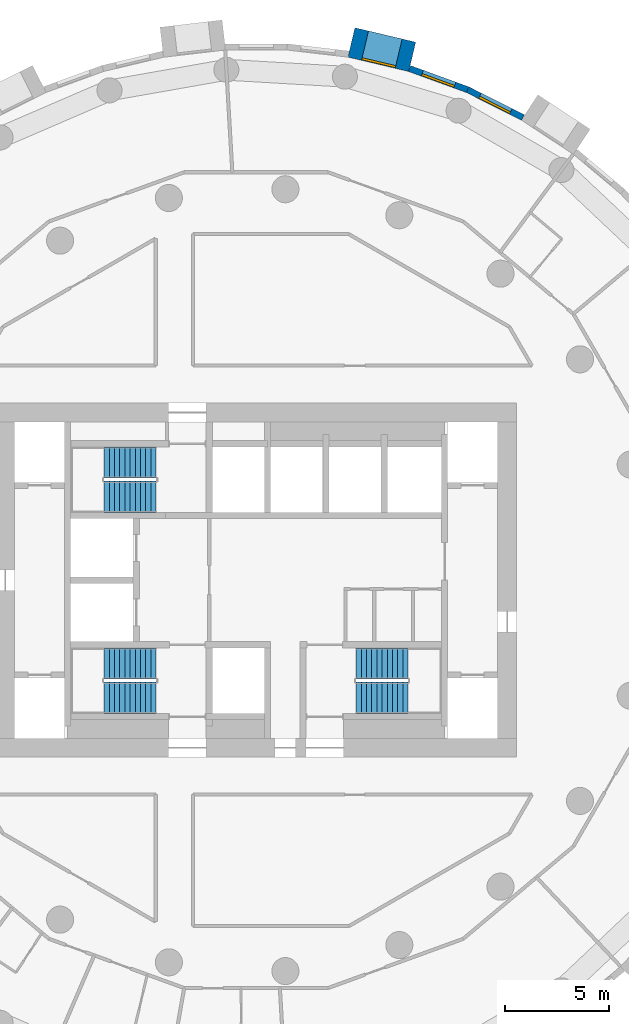
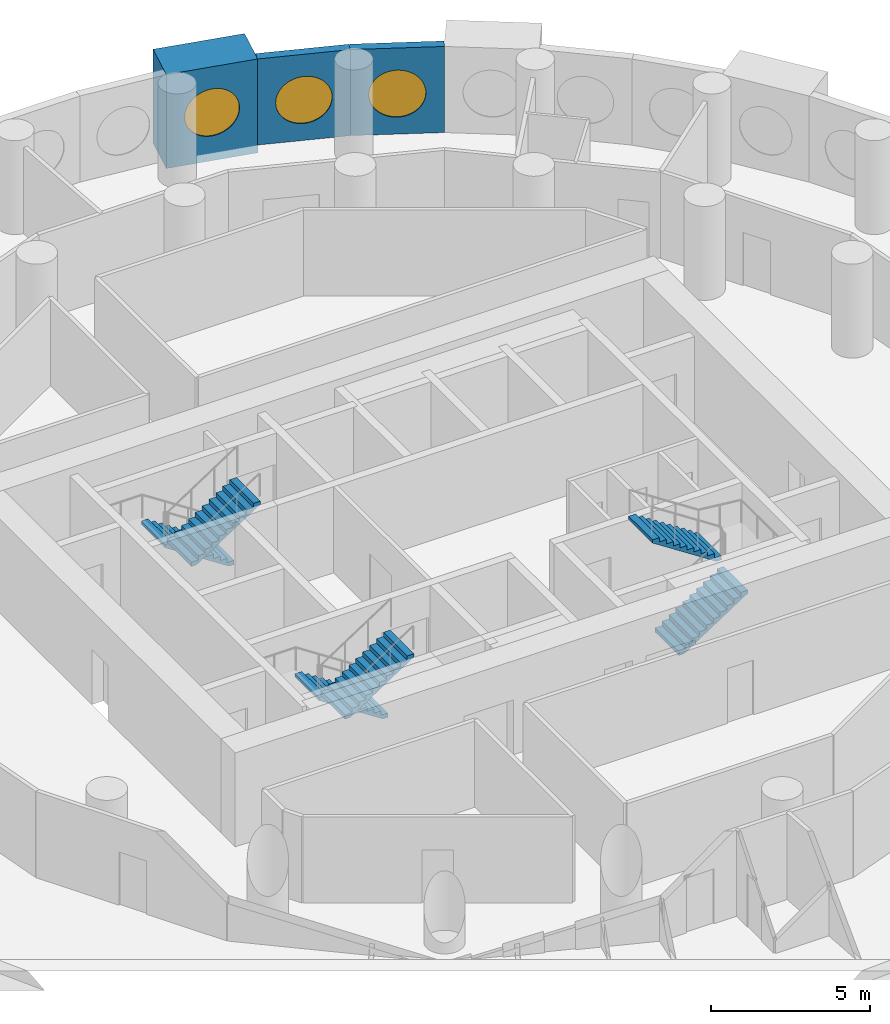
# One storey, part 8 of 9: 6 stair flights, 3 walls, 3 windows, 3 openings, 3 elements without a shape of their own.
"""IFC4 building model written with IfcOpenShell, lengths in metres."""

from ifc_helpers import new_model, si_unit, direction, frame, frame_2d, origin, origin_2d, place, context, subcontext, project, spatial, polyline, rectangle, circle, outline, extrude, material, layer, layer_set, type_object, element, fill, aggregate, save


model = new_model("IFC4")

# Units and contexts
model_context = context("Model", 3, precision=1e-05, world=origin(), true_north=direction((0.0, 1.0)))
body_context = subcontext(model_context, "Body", "Model", "MODEL_VIEW")
ifc_project = project(units=[si_unit("LENGTHUNIT", "METRE"), si_unit("AREAUNIT", "SQUARE_METRE"), si_unit("VOLUMEUNIT", "CUBIC_METRE"), si_unit("PLANEANGLEUNIT", "RADIAN"), si_unit("MASSUNIT", "GRAM", prefix="KILO")], contexts=[model_context])

# Site, building, storey
site_placement = place(None, origin())
site = spatial("IfcSite", under=ifc_project, at=site_placement, CompositionType="ELEMENT")
building_placement = place(site_placement, origin())
building = spatial("IfcBuilding", under=site, at=building_placement, Name="Tracery Tower", CompositionType="ELEMENT")
storey_placement = place(building_placement, frame((0.0, 0.0, 183.60009765625)))
storey = spatial("IfcBuildingStorey", under=building, at=storey_placement, Name="L47", CompositionType="ELEMENT", Elevation=183.60009765625)

# Wall, opening, window
ifc_material_1 = material(Name="Precast concrete C50/60", Category="concrete")
ifc_layer_1 = layer(ifc_material_1, 1.449951171875)
ifc_layer_set_1 = layer_set([ifc_layer_1], Name="Deep-set bay unit 3000 x 3600, slab edge 300")
wall_type_1 = type_object("IfcWallType", Name="Deep-set bay unit 3000 x 3600, slab edge 300", PredefinedType="ELEMENTEDWALL", material=ifc_layer_set_1)
wall_1_placement = place(storey_placement, frame((7.496826171875, 25.12744140625, -0.300048828125), z_axis=(0.0, 0.0, 1.0), x_axis=(-0.973042333261, 0.23062657627, 0.0)))
wall_1 = element("IfcWall", 1, at=wall_1_placement, inside=storey, type_object=wall_type_1, Name="Deep-set bay unit 12 at L47", PredefinedType="ELEMENTEDWALL", context=body_context, shape_type="SweptSolid", body=[
    extrude(rectangle(XDim=3.0, YDim=1.449951171875, at=frame_2d((1.5, 0.0))), origin(), (0.0, 0.0, 1.0), 3.599853515625),
])
opening_1_placement = place(wall_1_placement, frame((1.5, 0.0, 1.85009765625)))
opening_1 = element("IfcOpeningElement", 2, at=opening_1_placement, cuts=wall_1, Name="Opening WN1", PredefinedType="OPENING", context=body_context, shape_type="SweptSolid", body=[
    extrude(circle(Radius=0.9000244140625, at=origin_2d()), frame((0.0, 0.73486328125, 0.0), z_axis=(0.0, -1.0, 0.0), x_axis=(1.0, 0.0, 0.0)), (0.0, 0.0, 1.0), 1.469970703125),
])
ifc_material_2 = material(Name="Aluminium frame with tinted double glazing", Category="aluminium")
window_type = type_object("IfcWindowType", Name="Round window 1800", PartitioningType="SINGLE_PANEL", PredefinedType="WINDOW", material=ifc_material_2)
window_1_placement = place(opening_1_placement, origin())
window_1 = element("IfcWindow", 3, at=window_1_placement, inside=storey, type_object=window_type, Name="Round window 12 at L47", OverallHeight=1.800048828125, OverallWidth=1.800048828125, PartitioningType="SINGLE_PANEL", PredefinedType="WINDOW", context=body_context, shape_type="SweptSolid", body=[
    extrude(circle(Radius=0.9000244140625, at=origin_2d()), frame((0.0, 0.69482421875, 0.0), z_axis=(0.0, -1.0, 0.0), x_axis=(1.0, 0.0, 0.0)), (0.0, 0.0, 1.0), 0.10009765625),
])
fill(opening_1, window_1)

ifc_material_3 = material(Name="Precast concrete C50/60", Category="concrete")
ifc_layer_2 = layer(ifc_material_3, 0.300048828125)
ifc_layer_set_2 = layer_set([ifc_layer_2], Name="Facade panel 3000 x 3300")
wall_type_2 = type_object("IfcWallType", Name="Facade panel 3000 x 3300", PredefinedType="SOLIDWALL", material=ifc_layer_set_2)
wall_2_placement = place(storey_placement, frame((12.815185546875, 22.215576171875, 0.0), z_axis=(0.0, 0.0, 1.0), x_axis=(-0.893637442555, 0.448789618045, 0.0)))
wall_2 = element("IfcWall", 4, at=wall_2_placement, inside=storey, type_object=wall_type_2, Name="Facade panel 10 at L47", PredefinedType="SOLIDWALL", context=body_context, shape_type="SweptSolid", body=[
    extrude(rectangle(XDim=2.972900390625, YDim=0.300048828125, at=frame_2d((1.486328125, 0.0))), origin(), (0.0, 0.0, 1.0), 3.2998046875),
])
opening_2_placement = place(wall_2_placement, frame((1.486328125, 0.0, 1.5498046875)))
opening_2 = element("IfcOpeningElement", 5, at=opening_2_placement, cuts=wall_2, Name="Opening WN1", PredefinedType="OPENING", context=body_context, shape_type="SweptSolid", body=[
    extrude(circle(Radius=0.9000244140625, at=origin_2d()), frame((0.0, 0.159912109375, 0.0), z_axis=(0.0, -1.0, 0.0), x_axis=(1.0, 0.0, 0.0)), (0.0, 0.0, 1.0), 0.320068359375),
])
window_2_placement = place(opening_2_placement, origin())
window_2 = element("IfcWindow", 6, at=window_2_placement, inside=storey, type_object=window_type, Name="Round window 10 at L47", OverallHeight=1.800048828125, OverallWidth=1.800048828125, PartitioningType="SINGLE_PANEL", PredefinedType="WINDOW", context=body_context, shape_type="SweptSolid", body=[
    extrude(circle(Radius=0.9000244140625, at=origin_2d()), frame((0.0, 0.1201171875, 0.0), z_axis=(0.0, -1.0, 0.0), x_axis=(1.0, 0.0, 0.0)), (0.0, 0.0, 1.0), 0.10009765625),
])
fill(opening_2, window_2)

wall_3_placement = place(storey_placement, frame((10.158447265625, 23.5498046875, 0.0), z_axis=(0.0, 0.0, 1.0), x_axis=(-0.939690282133, 0.342026568652, 0.0)))
wall_3 = element("IfcWall", 7, at=wall_3_placement, inside=storey, type_object=wall_type_2, Name="Facade panel 11 at L47", PredefinedType="SOLIDWALL", context=body_context, shape_type="SweptSolid", body=[
    extrude(rectangle(XDim=2.972900390625, YDim=0.300048828125, at=frame_2d((1.486328125, 0.0))), origin(), (0.0, 0.0, 1.0), 3.2998046875),
])
opening_3_placement = place(wall_3_placement, frame((1.486328125, 0.0, 1.5498046875)))
opening_3 = element("IfcOpeningElement", 8, at=opening_3_placement, cuts=wall_3, Name="Opening WN1", PredefinedType="OPENING", context=body_context, shape_type="SweptSolid", body=[
    extrude(circle(Radius=0.9000244140625, at=origin_2d()), frame((0.0, 0.159912109375, 0.0), z_axis=(0.0, -1.0, 0.0), x_axis=(1.0, 0.0, 0.0)), (0.0, 0.0, 1.0), 0.320068359375),
])
window_3_placement = place(opening_3_placement, origin())
window_3 = element("IfcWindow", 9, at=window_3_placement, inside=storey, type_object=window_type, Name="Round window 11 at L47", OverallHeight=1.800048828125, OverallWidth=1.800048828125, PartitioningType="SINGLE_PANEL", PredefinedType="WINDOW", context=body_context, shape_type="SweptSolid", body=[
    extrude(circle(Radius=0.9000244140625, at=origin_2d()), frame((0.0, 0.1201171875, 0.0), z_axis=(0.0, -1.0, 0.0), x_axis=(1.0, 0.0, 0.0)), (0.0, 0.0, 1.0), 0.10009765625),
])
fill(opening_3, window_3)

# Stair, stair flights
ifc_material_4 = material(Name="Concrete C32/40", Category="concrete")
stair_type = type_object("IfcStairType", Name="Core stair 22 risers", PredefinedType="HALF_TURN_STAIR", material=ifc_material_4)
stair_1_placement = place(storey_placement, origin())
stair_1 = element("IfcStair", 10, at=stair_1_placement, inside=storey, type_object=stair_type, Name="L47 stair ST1", PredefinedType="HALF_TURN_STAIR")
ifc_material_5 = material(Name="Concrete C32/40", Category="concrete")
stair_flight_type = type_object("IfcStairFlightType", Name="Core stair flight 11 risers", PredefinedType="STRAIGHT", material=ifc_material_5)
stair_flight_1_placement = place(storey_placement, frame((-4.800048828125, -4.0, 0.0), z_axis=(0.0, 0.0, 1.0), x_axis=(-1.0, 0.0, 0.0)))
stair_flight_1 = element("IfcStairFlight", 11, at=stair_flight_1_placement, type_object=stair_flight_type, Name="ST1 flight 1", NumberOfRisers=11, NumberOfTreads=10, PredefinedType="STRAIGHT", RiserHeight=0.163636364, TreadLength=0.25, context=body_context, shape_type="SweptSolid", body=[
    extrude(outline(polyline([(0.0, 0.0), (0.0, 0.002685546875), (0.0, 0.00537109375), (0.0, 0.008056640625), (0.0, 0.0107421875), (0.0, 0.013427734375), (0.0, 0.01611328125), (0.0, 0.018798828125), (0.0, 0.021484375), (0.0, 0.024169921875), (0.0, 0.02685546875), (0.0, 0.029541015625), (0.0, 0.0322265625), (0.0, 0.034912109375), (0.0, 0.03759765625), (0.0, 0.040283203125), (0.0, 0.04296875), (0.0, 0.045654296875), (0.0, 0.04833984375), (0.0, 0.051025390625), (0.0, 0.0537109375), (0.0, 0.056396484375), (0.0, 0.05908203125), (0.0, 0.061767578125), (0.0, 0.064453125), (0.0, 0.067138671875), (0.0, 0.06982421875), (0.0, 0.072509765625), (0.0, 0.0751953125), (0.0, 0.077880859375), (0.0, 0.08056640625), (0.0, 0.083251953125), (0.0, 0.0859375), (0.0, 0.088623046875), (0.0, 0.09130859375), (0.0, 0.093994140625), (0.0, 0.0966796875), (0.0, 0.099365234375), (0.0, 0.10205078125), (0.0, 0.104736328125), (0.0, 0.107421875), (0.0, 0.10986328125), (0.0, 0.112548828125), (0.0, 0.115234375), (0.0, 0.117919921875), (0.0, 0.12060546875), (0.0, 0.123291015625), (0.0, 0.1259765625), (0.0, 0.128662109375), (0.0, 0.13134765625), (0.0, 0.134033203125), (0.0, 0.13671875), (0.0, 0.139404296875), (0.0, 0.14208984375), (0.0, 0.144775390625), (0.0, 0.1474609375), (0.0, 0.150146484375), (0.0, 0.15283203125), (0.0, 0.155517578125), (0.0, 0.158203125), (0.0, 0.160888671875), (0.0, 0.16357421875), (0.25, 0.16357421875), (0.25, 0.327392578125), (0.5, 0.327392578125), (0.5, 0.490966796875), (0.75, 0.490966796875), (0.75, 0.654541015625), (1.0, 0.654541015625), (1.0, 0.818115234375), (1.25, 0.818115234375), (1.25, 0.98193359375), (1.5, 0.98193359375), (1.5, 1.1455078125), (1.75, 1.1455078125), (1.75, 1.30908203125), (2.0, 1.30908203125), (2.0, 1.47265625), (2.25, 1.47265625), (2.25, 1.636474609375), (2.5, 1.636474609375), (2.5, 1.634521484375), (2.5, 1.63232421875), (2.5, 1.63037109375), (2.5, 1.62841796875), (2.5, 1.62646484375), (2.5, 1.62451171875), (2.5, 1.62255859375), (2.5, 1.62060546875), (2.5, 1.61865234375), (2.5, 1.61669921875), (2.5, 1.61474609375), (2.5, 1.61279296875), (2.5, 1.61083984375), (2.5, 1.60888671875), (2.5, 1.60693359375), (2.5, 1.60498046875), (2.5, 1.60302734375), (2.5, 1.60107421875), (2.5, 1.59912109375), (2.5, 1.59716796875), (2.5, 1.59521484375), (2.5, 1.59326171875), (2.5, 1.59130859375), (2.5, 1.58935546875), (2.5, 1.58740234375), (2.5, 1.58544921875), (2.5, 1.58349609375), (2.5, 1.58154296875), (2.5, 1.57958984375), (2.5, 1.57763671875), (2.5, 1.57568359375), (2.5, 1.573486328125), (2.5, 1.571533203125), (2.5, 1.569580078125), (2.5, 1.567626953125), (2.5, 1.565673828125), (2.5, 1.563720703125), (2.5, 1.561767578125), (2.5, 1.559814453125), (2.5, 1.557861328125), (2.5, 1.555908203125), (2.5, 1.553955078125), (2.5, 1.552001953125), (2.5, 1.550048828125), (2.5, 1.548095703125), (2.5, 1.546142578125), (2.5, 1.544189453125), (2.5, 1.542236328125), (2.5, 1.540283203125), (2.5, 1.538330078125), (2.5, 1.536376953125), (2.5, 1.534423828125), (2.5, 1.532470703125), (2.5, 1.530517578125), (2.5, 1.528564453125), (2.5, 1.526611328125), (2.5, 1.524658203125), (2.5, 1.522705078125), (2.5, 1.520751953125), (2.5, 1.518798828125), (2.5, 1.516845703125), (0.182861328125, 0.0), (0.0, 0.0)])), frame((0.0, 0.75, 0.0), z_axis=(0.0, -1.0, 0.0), x_axis=(1.0, 0.0, 0.0)), (0.0, 0.0, 1.0), 1.5),
])
stair_flight_2_placement = place(storey_placement, frame((-7.300048828125, -5.64990234375, 1.7998046875), z_axis=(0.0, 0.0, 1.0), x_axis=(1.0, 0.0, 0.0)))
stair_flight_2 = element("IfcStairFlight", 12, at=stair_flight_2_placement, type_object=stair_flight_type, Name="ST1 flight 2", NumberOfRisers=11, NumberOfTreads=10, PredefinedType="STRAIGHT", RiserHeight=0.163636364, TreadLength=0.25, context=body_context, shape_type="SweptSolid", body=[
    extrude(outline(polyline([(0.0, 0.0), (0.0, 0.002685546875), (0.0, 0.00537109375), (0.0, 0.008056640625), (0.0, 0.0107421875), (0.0, 0.013427734375), (0.0, 0.01611328125), (0.0, 0.018798828125), (0.0, 0.021484375), (0.0, 0.024169921875), (0.0, 0.02685546875), (0.0, 0.029541015625), (0.0, 0.0322265625), (0.0, 0.034912109375), (0.0, 0.03759765625), (0.0, 0.040283203125), (0.0, 0.04296875), (0.0, 0.045654296875), (0.0, 0.04833984375), (0.0, 0.051025390625), (0.0, 0.0537109375), (0.0, 0.056396484375), (0.0, 0.05908203125), (0.0, 0.061767578125), (0.0, 0.064453125), (0.0, 0.067138671875), (0.0, 0.06982421875), (0.0, 0.072509765625), (0.0, 0.0751953125), (0.0, 0.077880859375), (0.0, 0.08056640625), (0.0, 0.083251953125), (0.0, 0.0859375), (0.0, 0.088623046875), (0.0, 0.09130859375), (0.0, 0.093994140625), (0.0, 0.0966796875), (0.0, 0.099365234375), (0.0, 0.10205078125), (0.0, 0.104736328125), (0.0, 0.107421875), (0.0, 0.10986328125), (0.0, 0.112548828125), (0.0, 0.115234375), (0.0, 0.117919921875), (0.0, 0.12060546875), (0.0, 0.123291015625), (0.0, 0.1259765625), (0.0, 0.128662109375), (0.0, 0.13134765625), (0.0, 0.134033203125), (0.0, 0.13671875), (0.0, 0.139404296875), (0.0, 0.14208984375), (0.0, 0.144775390625), (0.0, 0.1474609375), (0.0, 0.150146484375), (0.0, 0.15283203125), (0.0, 0.155517578125), (0.0, 0.158203125), (0.0, 0.160888671875), (0.0, 0.16357421875), (0.25, 0.16357421875), (0.25, 0.327392578125), (0.5, 0.327392578125), (0.5, 0.490966796875), (0.75, 0.490966796875), (0.75, 0.654541015625), (1.0, 0.654541015625), (1.0, 0.818115234375), (1.25, 0.818115234375), (1.25, 0.98193359375), (1.5, 0.98193359375), (1.5, 1.1455078125), (1.75, 1.1455078125), (1.75, 1.30908203125), (2.0, 1.30908203125), (2.0, 1.47265625), (2.25, 1.47265625), (2.25, 1.636474609375), (2.5, 1.636474609375), (2.5, 1.634521484375), (2.5, 1.63232421875), (2.5, 1.63037109375), (2.5, 1.62841796875), (2.5, 1.62646484375), (2.5, 1.62451171875), (2.5, 1.62255859375), (2.5, 1.62060546875), (2.5, 1.61865234375), (2.5, 1.61669921875), (2.5, 1.61474609375), (2.5, 1.61279296875), (2.5, 1.61083984375), (2.5, 1.60888671875), (2.5, 1.60693359375), (2.5, 1.60498046875), (2.5, 1.60302734375), (2.5, 1.60107421875), (2.5, 1.59912109375), (2.5, 1.59716796875), (2.5, 1.59521484375), (2.5, 1.59326171875), (2.5, 1.59130859375), (2.5, 1.58935546875), (2.5, 1.58740234375), (2.5, 1.58544921875), (2.5, 1.58349609375), (2.5, 1.58154296875), (2.5, 1.57958984375), (2.5, 1.57763671875), (2.5, 1.57568359375), (2.5, 1.573486328125), (2.5, 1.571533203125), (2.5, 1.569580078125), (2.5, 1.567626953125), (2.5, 1.565673828125), (2.5, 1.563720703125), (2.5, 1.561767578125), (2.5, 1.559814453125), (2.5, 1.557861328125), (2.5, 1.555908203125), (2.5, 1.553955078125), (2.5, 1.552001953125), (2.5, 1.550048828125), (2.5, 1.548095703125), (2.5, 1.546142578125), (2.5, 1.544189453125), (2.5, 1.542236328125), (2.5, 1.540283203125), (2.5, 1.538330078125), (2.5, 1.536376953125), (2.5, 1.534423828125), (2.5, 1.532470703125), (2.5, 1.530517578125), (2.5, 1.528564453125), (2.5, 1.526611328125), (2.5, 1.524658203125), (2.5, 1.522705078125), (2.5, 1.520751953125), (2.5, 1.518798828125), (2.5, 1.516845703125), (0.182861328125, 0.0), (0.0, 0.0)])), frame((0.0, 0.75, 0.0), z_axis=(0.0, -1.0, 0.0), x_axis=(1.0, 0.0, 0.0)), (0.0, 0.0, 1.0), 1.5),
])
aggregate(stair_1, [stair_flight_1, stair_flight_2])

stair_2_placement = place(storey_placement, origin())
stair_2 = element("IfcStair", 13, at=stair_2_placement, inside=storey, type_object=stair_type, Name="L47 stair ST3", PredefinedType="HALF_TURN_STAIR")
stair_flight_3_placement = place(storey_placement, frame((-4.800048828125, 5.64990234375, 0.0), z_axis=(0.0, 0.0, 1.0), x_axis=(-1.0, 0.0, 0.0)))
stair_flight_3 = element("IfcStairFlight", 14, at=stair_flight_3_placement, type_object=stair_flight_type, Name="ST3 flight 1", NumberOfRisers=11, NumberOfTreads=10, PredefinedType="STRAIGHT", RiserHeight=0.163636364, TreadLength=0.25, context=body_context, shape_type="SweptSolid", body=[
    extrude(outline(polyline([(0.0, 0.0), (0.0, 0.002685546875), (0.0, 0.00537109375), (0.0, 0.008056640625), (0.0, 0.0107421875), (0.0, 0.013427734375), (0.0, 0.01611328125), (0.0, 0.018798828125), (0.0, 0.021484375), (0.0, 0.024169921875), (0.0, 0.02685546875), (0.0, 0.029541015625), (0.0, 0.0322265625), (0.0, 0.034912109375), (0.0, 0.03759765625), (0.0, 0.040283203125), (0.0, 0.04296875), (0.0, 0.045654296875), (0.0, 0.04833984375), (0.0, 0.051025390625), (0.0, 0.0537109375), (0.0, 0.056396484375), (0.0, 0.05908203125), (0.0, 0.061767578125), (0.0, 0.064453125), (0.0, 0.067138671875), (0.0, 0.06982421875), (0.0, 0.072509765625), (0.0, 0.0751953125), (0.0, 0.077880859375), (0.0, 0.08056640625), (0.0, 0.083251953125), (0.0, 0.0859375), (0.0, 0.088623046875), (0.0, 0.09130859375), (0.0, 0.093994140625), (0.0, 0.0966796875), (0.0, 0.099365234375), (0.0, 0.10205078125), (0.0, 0.104736328125), (0.0, 0.107421875), (0.0, 0.10986328125), (0.0, 0.112548828125), (0.0, 0.115234375), (0.0, 0.117919921875), (0.0, 0.12060546875), (0.0, 0.123291015625), (0.0, 0.1259765625), (0.0, 0.128662109375), (0.0, 0.13134765625), (0.0, 0.134033203125), (0.0, 0.13671875), (0.0, 0.139404296875), (0.0, 0.14208984375), (0.0, 0.144775390625), (0.0, 0.1474609375), (0.0, 0.150146484375), (0.0, 0.15283203125), (0.0, 0.155517578125), (0.0, 0.158203125), (0.0, 0.160888671875), (0.0, 0.16357421875), (0.25, 0.16357421875), (0.25, 0.327392578125), (0.5, 0.327392578125), (0.5, 0.490966796875), (0.75, 0.490966796875), (0.75, 0.654541015625), (1.0, 0.654541015625), (1.0, 0.818115234375), (1.25, 0.818115234375), (1.25, 0.98193359375), (1.5, 0.98193359375), (1.5, 1.1455078125), (1.75, 1.1455078125), (1.75, 1.30908203125), (2.0, 1.30908203125), (2.0, 1.47265625), (2.25, 1.47265625), (2.25, 1.636474609375), (2.5, 1.636474609375), (2.5, 1.634521484375), (2.5, 1.63232421875), (2.5, 1.63037109375), (2.5, 1.62841796875), (2.5, 1.62646484375), (2.5, 1.62451171875), (2.5, 1.62255859375), (2.5, 1.62060546875), (2.5, 1.61865234375), (2.5, 1.61669921875), (2.5, 1.61474609375), (2.5, 1.61279296875), (2.5, 1.61083984375), (2.5, 1.60888671875), (2.5, 1.60693359375), (2.5, 1.60498046875), (2.5, 1.60302734375), (2.5, 1.60107421875), (2.5, 1.59912109375), (2.5, 1.59716796875), (2.5, 1.59521484375), (2.5, 1.59326171875), (2.5, 1.59130859375), (2.5, 1.58935546875), (2.5, 1.58740234375), (2.5, 1.58544921875), (2.5, 1.58349609375), (2.5, 1.58154296875), (2.5, 1.57958984375), (2.5, 1.57763671875), (2.5, 1.57568359375), (2.5, 1.573486328125), (2.5, 1.571533203125), (2.5, 1.569580078125), (2.5, 1.567626953125), (2.5, 1.565673828125), (2.5, 1.563720703125), (2.5, 1.561767578125), (2.5, 1.559814453125), (2.5, 1.557861328125), (2.5, 1.555908203125), (2.5, 1.553955078125), (2.5, 1.552001953125), (2.5, 1.550048828125), (2.5, 1.548095703125), (2.5, 1.546142578125), (2.5, 1.544189453125), (2.5, 1.542236328125), (2.5, 1.540283203125), (2.5, 1.538330078125), (2.5, 1.536376953125), (2.5, 1.534423828125), (2.5, 1.532470703125), (2.5, 1.530517578125), (2.5, 1.528564453125), (2.5, 1.526611328125), (2.5, 1.524658203125), (2.5, 1.522705078125), (2.5, 1.520751953125), (2.5, 1.518798828125), (2.5, 1.516845703125), (0.182861328125, 0.0), (0.0, 0.0)])), frame((0.0, 0.75, 0.0), z_axis=(0.0, -1.0, 0.0), x_axis=(1.0, 0.0, 0.0)), (0.0, 0.0, 1.0), 1.5),
])
stair_flight_4_placement = place(storey_placement, frame((-7.300048828125, 4.0, 1.7998046875), z_axis=(0.0, 0.0, 1.0), x_axis=(1.0, 0.0, 0.0)))
stair_flight_4 = element("IfcStairFlight", 15, at=stair_flight_4_placement, type_object=stair_flight_type, Name="ST3 flight 2", NumberOfRisers=11, NumberOfTreads=10, PredefinedType="STRAIGHT", RiserHeight=0.163636364, TreadLength=0.25, context=body_context, shape_type="SweptSolid", body=[
    extrude(outline(polyline([(0.0, 0.0), (0.0, 0.002685546875), (0.0, 0.00537109375), (0.0, 0.008056640625), (0.0, 0.0107421875), (0.0, 0.013427734375), (0.0, 0.01611328125), (0.0, 0.018798828125), (0.0, 0.021484375), (0.0, 0.024169921875), (0.0, 0.02685546875), (0.0, 0.029541015625), (0.0, 0.0322265625), (0.0, 0.034912109375), (0.0, 0.03759765625), (0.0, 0.040283203125), (0.0, 0.04296875), (0.0, 0.045654296875), (0.0, 0.04833984375), (0.0, 0.051025390625), (0.0, 0.0537109375), (0.0, 0.056396484375), (0.0, 0.05908203125), (0.0, 0.061767578125), (0.0, 0.064453125), (0.0, 0.067138671875), (0.0, 0.06982421875), (0.0, 0.072509765625), (0.0, 0.0751953125), (0.0, 0.077880859375), (0.0, 0.08056640625), (0.0, 0.083251953125), (0.0, 0.0859375), (0.0, 0.088623046875), (0.0, 0.09130859375), (0.0, 0.093994140625), (0.0, 0.0966796875), (0.0, 0.099365234375), (0.0, 0.10205078125), (0.0, 0.104736328125), (0.0, 0.107421875), (0.0, 0.10986328125), (0.0, 0.112548828125), (0.0, 0.115234375), (0.0, 0.117919921875), (0.0, 0.12060546875), (0.0, 0.123291015625), (0.0, 0.1259765625), (0.0, 0.128662109375), (0.0, 0.13134765625), (0.0, 0.134033203125), (0.0, 0.13671875), (0.0, 0.139404296875), (0.0, 0.14208984375), (0.0, 0.144775390625), (0.0, 0.1474609375), (0.0, 0.150146484375), (0.0, 0.15283203125), (0.0, 0.155517578125), (0.0, 0.158203125), (0.0, 0.160888671875), (0.0, 0.16357421875), (0.25, 0.16357421875), (0.25, 0.327392578125), (0.5, 0.327392578125), (0.5, 0.490966796875), (0.75, 0.490966796875), (0.75, 0.654541015625), (1.0, 0.654541015625), (1.0, 0.818115234375), (1.25, 0.818115234375), (1.25, 0.98193359375), (1.5, 0.98193359375), (1.5, 1.1455078125), (1.75, 1.1455078125), (1.75, 1.30908203125), (2.0, 1.30908203125), (2.0, 1.47265625), (2.25, 1.47265625), (2.25, 1.636474609375), (2.5, 1.636474609375), (2.5, 1.634521484375), (2.5, 1.63232421875), (2.5, 1.63037109375), (2.5, 1.62841796875), (2.5, 1.62646484375), (2.5, 1.62451171875), (2.5, 1.62255859375), (2.5, 1.62060546875), (2.5, 1.61865234375), (2.5, 1.61669921875), (2.5, 1.61474609375), (2.5, 1.61279296875), (2.5, 1.61083984375), (2.5, 1.60888671875), (2.5, 1.60693359375), (2.5, 1.60498046875), (2.5, 1.60302734375), (2.5, 1.60107421875), (2.5, 1.59912109375), (2.5, 1.59716796875), (2.5, 1.59521484375), (2.5, 1.59326171875), (2.5, 1.59130859375), (2.5, 1.58935546875), (2.5, 1.58740234375), (2.5, 1.58544921875), (2.5, 1.58349609375), (2.5, 1.58154296875), (2.5, 1.57958984375), (2.5, 1.57763671875), (2.5, 1.57568359375), (2.5, 1.573486328125), (2.5, 1.571533203125), (2.5, 1.569580078125), (2.5, 1.567626953125), (2.5, 1.565673828125), (2.5, 1.563720703125), (2.5, 1.561767578125), (2.5, 1.559814453125), (2.5, 1.557861328125), (2.5, 1.555908203125), (2.5, 1.553955078125), (2.5, 1.552001953125), (2.5, 1.550048828125), (2.5, 1.548095703125), (2.5, 1.546142578125), (2.5, 1.544189453125), (2.5, 1.542236328125), (2.5, 1.540283203125), (2.5, 1.538330078125), (2.5, 1.536376953125), (2.5, 1.534423828125), (2.5, 1.532470703125), (2.5, 1.530517578125), (2.5, 1.528564453125), (2.5, 1.526611328125), (2.5, 1.524658203125), (2.5, 1.522705078125), (2.5, 1.520751953125), (2.5, 1.518798828125), (2.5, 1.516845703125), (0.182861328125, 0.0), (0.0, 0.0)])), frame((0.0, 0.75, 0.0), z_axis=(0.0, -1.0, 0.0), x_axis=(1.0, 0.0, 0.0)), (0.0, 0.0, 1.0), 1.5),
])
aggregate(stair_2, [stair_flight_3, stair_flight_4])

stair_3_placement = place(storey_placement, origin())
stair_3 = element("IfcStair", 16, at=stair_3_placement, inside=storey, type_object=stair_type, Name="L47 stair ST2", PredefinedType="HALF_TURN_STAIR")
stair_flight_5_placement = place(storey_placement, frame((4.800048828125, -5.64990234375, 0.0), z_axis=(0.0, 0.0, 1.0), x_axis=(1.0, 0.0, 0.0)))
stair_flight_5 = element("IfcStairFlight", 17, at=stair_flight_5_placement, type_object=stair_flight_type, Name="ST2 flight 1", NumberOfRisers=11, NumberOfTreads=10, PredefinedType="STRAIGHT", RiserHeight=0.163636364, TreadLength=0.25, context=body_context, shape_type="SweptSolid", body=[
    extrude(outline(polyline([(0.0, 0.0), (0.0, 0.002685546875), (0.0, 0.00537109375), (0.0, 0.008056640625), (0.0, 0.0107421875), (0.0, 0.013427734375), (0.0, 0.01611328125), (0.0, 0.018798828125), (0.0, 0.021484375), (0.0, 0.024169921875), (0.0, 0.02685546875), (0.0, 0.029541015625), (0.0, 0.0322265625), (0.0, 0.034912109375), (0.0, 0.03759765625), (0.0, 0.040283203125), (0.0, 0.04296875), (0.0, 0.045654296875), (0.0, 0.04833984375), (0.0, 0.051025390625), (0.0, 0.0537109375), (0.0, 0.056396484375), (0.0, 0.05908203125), (0.0, 0.061767578125), (0.0, 0.064453125), (0.0, 0.067138671875), (0.0, 0.06982421875), (0.0, 0.072509765625), (0.0, 0.0751953125), (0.0, 0.077880859375), (0.0, 0.08056640625), (0.0, 0.083251953125), (0.0, 0.0859375), (0.0, 0.088623046875), (0.0, 0.09130859375), (0.0, 0.093994140625), (0.0, 0.0966796875), (0.0, 0.099365234375), (0.0, 0.10205078125), (0.0, 0.104736328125), (0.0, 0.107421875), (0.0, 0.10986328125), (0.0, 0.112548828125), (0.0, 0.115234375), (0.0, 0.117919921875), (0.0, 0.12060546875), (0.0, 0.123291015625), (0.0, 0.1259765625), (0.0, 0.128662109375), (0.0, 0.13134765625), (0.0, 0.134033203125), (0.0, 0.13671875), (0.0, 0.139404296875), (0.0, 0.14208984375), (0.0, 0.144775390625), (0.0, 0.1474609375), (0.0, 0.150146484375), (0.0, 0.15283203125), (0.0, 0.155517578125), (0.0, 0.158203125), (0.0, 0.160888671875), (0.0, 0.16357421875), (0.25, 0.16357421875), (0.25, 0.327392578125), (0.5, 0.327392578125), (0.5, 0.490966796875), (0.75, 0.490966796875), (0.75, 0.654541015625), (1.0, 0.654541015625), (1.0, 0.818115234375), (1.25, 0.818115234375), (1.25, 0.98193359375), (1.5, 0.98193359375), (1.5, 1.1455078125), (1.75, 1.1455078125), (1.75, 1.30908203125), (2.0, 1.30908203125), (2.0, 1.47265625), (2.25, 1.47265625), (2.25, 1.636474609375), (2.5, 1.636474609375), (2.5, 1.634521484375), (2.5, 1.63232421875), (2.5, 1.63037109375), (2.5, 1.62841796875), (2.5, 1.62646484375), (2.5, 1.62451171875), (2.5, 1.62255859375), (2.5, 1.62060546875), (2.5, 1.61865234375), (2.5, 1.61669921875), (2.5, 1.61474609375), (2.5, 1.61279296875), (2.5, 1.61083984375), (2.5, 1.60888671875), (2.5, 1.60693359375), (2.5, 1.60498046875), (2.5, 1.60302734375), (2.5, 1.60107421875), (2.5, 1.59912109375), (2.5, 1.59716796875), (2.5, 1.59521484375), (2.5, 1.59326171875), (2.5, 1.59130859375), (2.5, 1.58935546875), (2.5, 1.58740234375), (2.5, 1.58544921875), (2.5, 1.58349609375), (2.5, 1.58154296875), (2.5, 1.57958984375), (2.5, 1.57763671875), (2.5, 1.57568359375), (2.5, 1.573486328125), (2.5, 1.571533203125), (2.5, 1.569580078125), (2.5, 1.567626953125), (2.5, 1.565673828125), (2.5, 1.563720703125), (2.5, 1.561767578125), (2.5, 1.559814453125), (2.5, 1.557861328125), (2.5, 1.555908203125), (2.5, 1.553955078125), (2.5, 1.552001953125), (2.5, 1.550048828125), (2.5, 1.548095703125), (2.5, 1.546142578125), (2.5, 1.544189453125), (2.5, 1.542236328125), (2.5, 1.540283203125), (2.5, 1.538330078125), (2.5, 1.536376953125), (2.5, 1.534423828125), (2.5, 1.532470703125), (2.5, 1.530517578125), (2.5, 1.528564453125), (2.5, 1.526611328125), (2.5, 1.524658203125), (2.5, 1.522705078125), (2.5, 1.520751953125), (2.5, 1.518798828125), (2.5, 1.516845703125), (0.182861328125, 0.0), (0.0, 0.0)])), frame((0.0, 0.75, 0.0), z_axis=(0.0, -1.0, 0.0), x_axis=(1.0, 0.0, 0.0)), (0.0, 0.0, 1.0), 1.5),
])
stair_flight_6_placement = place(storey_placement, frame((7.300048828125, -4.0, 1.7998046875), z_axis=(0.0, 0.0, 1.0), x_axis=(-1.0, 0.0, 0.0)))
stair_flight_6 = element("IfcStairFlight", 18, at=stair_flight_6_placement, type_object=stair_flight_type, Name="ST2 flight 2", NumberOfRisers=11, NumberOfTreads=10, PredefinedType="STRAIGHT", RiserHeight=0.163636364, TreadLength=0.25, context=body_context, shape_type="SweptSolid", body=[
    extrude(outline(polyline([(0.0, 0.0), (0.0, 0.002685546875), (0.0, 0.00537109375), (0.0, 0.008056640625), (0.0, 0.0107421875), (0.0, 0.013427734375), (0.0, 0.01611328125), (0.0, 0.018798828125), (0.0, 0.021484375), (0.0, 0.024169921875), (0.0, 0.02685546875), (0.0, 0.029541015625), (0.0, 0.0322265625), (0.0, 0.034912109375), (0.0, 0.03759765625), (0.0, 0.040283203125), (0.0, 0.04296875), (0.0, 0.045654296875), (0.0, 0.04833984375), (0.0, 0.051025390625), (0.0, 0.0537109375), (0.0, 0.056396484375), (0.0, 0.05908203125), (0.0, 0.061767578125), (0.0, 0.064453125), (0.0, 0.067138671875), (0.0, 0.06982421875), (0.0, 0.072509765625), (0.0, 0.0751953125), (0.0, 0.077880859375), (0.0, 0.08056640625), (0.0, 0.083251953125), (0.0, 0.0859375), (0.0, 0.088623046875), (0.0, 0.09130859375), (0.0, 0.093994140625), (0.0, 0.0966796875), (0.0, 0.099365234375), (0.0, 0.10205078125), (0.0, 0.104736328125), (0.0, 0.107421875), (0.0, 0.10986328125), (0.0, 0.112548828125), (0.0, 0.115234375), (0.0, 0.117919921875), (0.0, 0.12060546875), (0.0, 0.123291015625), (0.0, 0.1259765625), (0.0, 0.128662109375), (0.0, 0.13134765625), (0.0, 0.134033203125), (0.0, 0.13671875), (0.0, 0.139404296875), (0.0, 0.14208984375), (0.0, 0.144775390625), (0.0, 0.1474609375), (0.0, 0.150146484375), (0.0, 0.15283203125), (0.0, 0.155517578125), (0.0, 0.158203125), (0.0, 0.160888671875), (0.0, 0.16357421875), (0.25, 0.16357421875), (0.25, 0.327392578125), (0.5, 0.327392578125), (0.5, 0.490966796875), (0.75, 0.490966796875), (0.75, 0.654541015625), (1.0, 0.654541015625), (1.0, 0.818115234375), (1.25, 0.818115234375), (1.25, 0.98193359375), (1.5, 0.98193359375), (1.5, 1.1455078125), (1.75, 1.1455078125), (1.75, 1.30908203125), (2.0, 1.30908203125), (2.0, 1.47265625), (2.25, 1.47265625), (2.25, 1.636474609375), (2.5, 1.636474609375), (2.5, 1.634521484375), (2.5, 1.63232421875), (2.5, 1.63037109375), (2.5, 1.62841796875), (2.5, 1.62646484375), (2.5, 1.62451171875), (2.5, 1.62255859375), (2.5, 1.62060546875), (2.5, 1.61865234375), (2.5, 1.61669921875), (2.5, 1.61474609375), (2.5, 1.61279296875), (2.5, 1.61083984375), (2.5, 1.60888671875), (2.5, 1.60693359375), (2.5, 1.60498046875), (2.5, 1.60302734375), (2.5, 1.60107421875), (2.5, 1.59912109375), (2.5, 1.59716796875), (2.5, 1.59521484375), (2.5, 1.59326171875), (2.5, 1.59130859375), (2.5, 1.58935546875), (2.5, 1.58740234375), (2.5, 1.58544921875), (2.5, 1.58349609375), (2.5, 1.58154296875), (2.5, 1.57958984375), (2.5, 1.57763671875), (2.5, 1.57568359375), (2.5, 1.573486328125), (2.5, 1.571533203125), (2.5, 1.569580078125), (2.5, 1.567626953125), (2.5, 1.565673828125), (2.5, 1.563720703125), (2.5, 1.561767578125), (2.5, 1.559814453125), (2.5, 1.557861328125), (2.5, 1.555908203125), (2.5, 1.553955078125), (2.5, 1.552001953125), (2.5, 1.550048828125), (2.5, 1.548095703125), (2.5, 1.546142578125), (2.5, 1.544189453125), (2.5, 1.542236328125), (2.5, 1.540283203125), (2.5, 1.538330078125), (2.5, 1.536376953125), (2.5, 1.534423828125), (2.5, 1.532470703125), (2.5, 1.530517578125), (2.5, 1.528564453125), (2.5, 1.526611328125), (2.5, 1.524658203125), (2.5, 1.522705078125), (2.5, 1.520751953125), (2.5, 1.518798828125), (2.5, 1.516845703125), (0.182861328125, 0.0), (0.0, 0.0)])), frame((0.0, 0.75, 0.0), z_axis=(0.0, -1.0, 0.0), x_axis=(1.0, 0.0, 0.0)), (0.0, 0.0, 1.0), 1.5),
])
aggregate(stair_3, [stair_flight_5, stair_flight_6])

save(model, "model.ifc")
